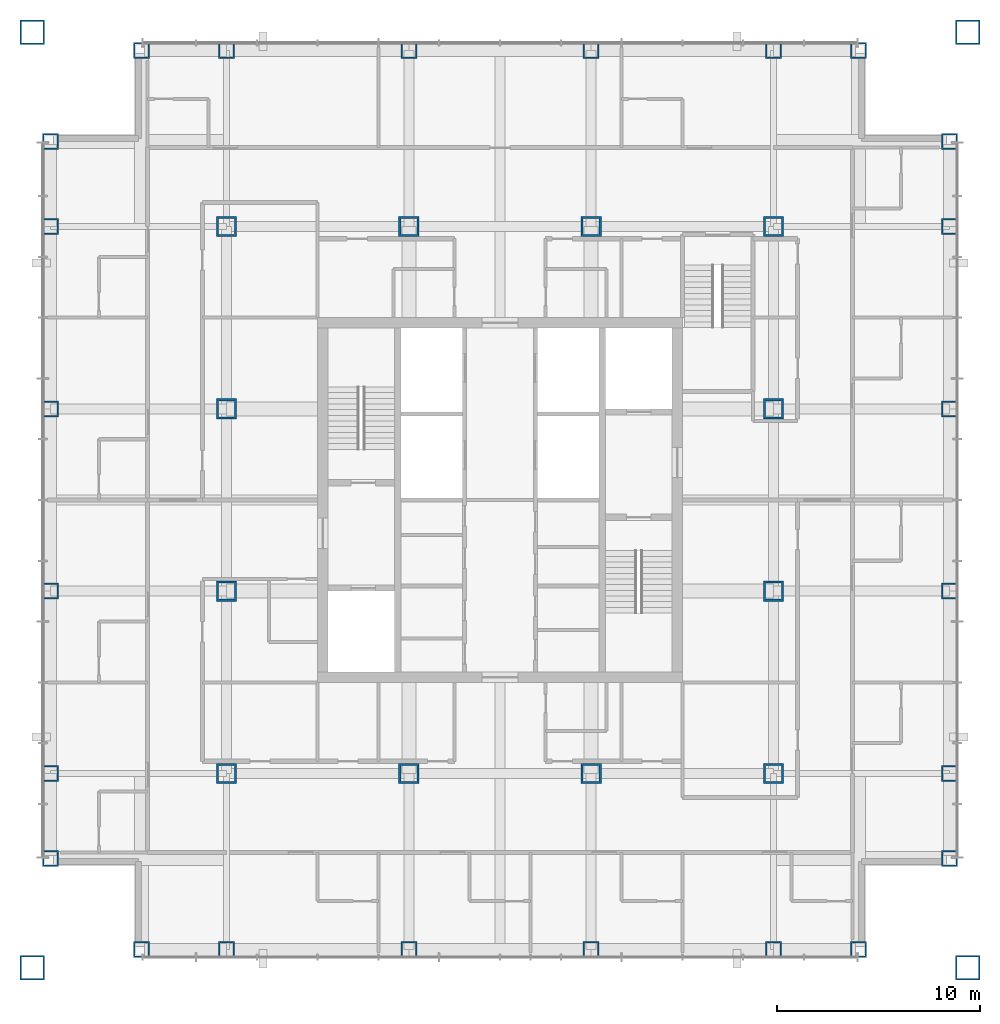
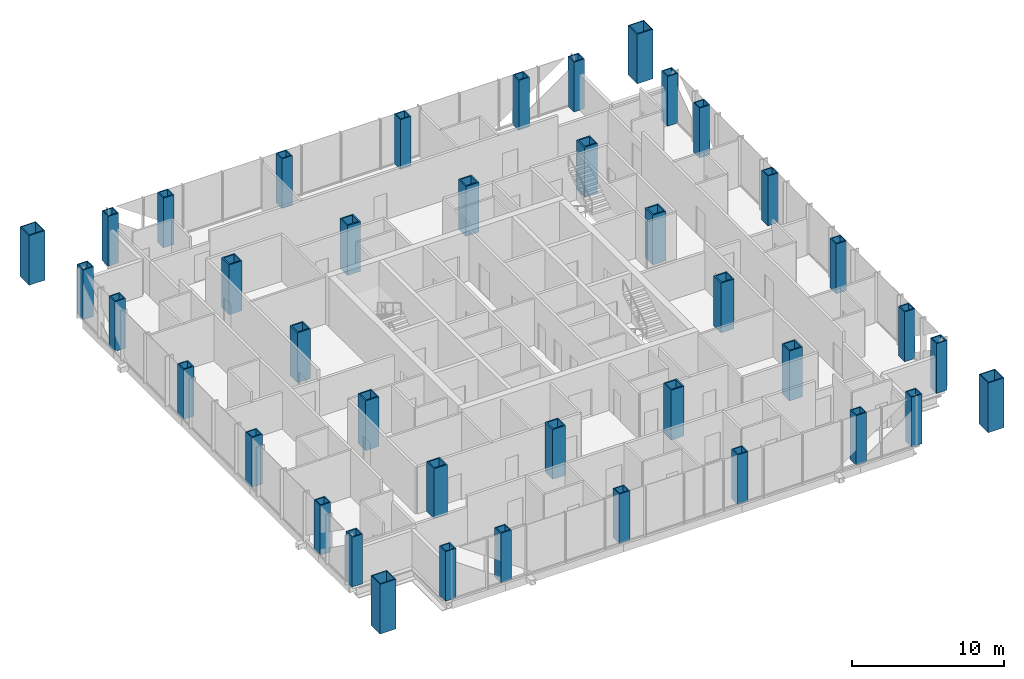
# One storey, part 1 of 11: 40 columns.
"""IFC4 building model written with IfcOpenShell, lengths in metres."""

from ifc_helpers import new_model, si_unit, direction, frame, origin, origin_2d, place, context, subcontext, project, spatial, hollow_rectangle, extrude, material, material_profile, profile_set, type_object, element, save


model = new_model("IFC4")

# Units and contexts
model_context = context("Model", 3, precision=1e-05, world=origin(), true_north=direction((0.0, 1.0)))
body_context = subcontext(model_context, "Body", "Model", "MODEL_VIEW")
ifc_project = project(units=[si_unit("LENGTHUNIT", "METRE"), si_unit("AREAUNIT", "SQUARE_METRE"), si_unit("VOLUMEUNIT", "CUBIC_METRE"), si_unit("PLANEANGLEUNIT", "RADIAN"), si_unit("MASSUNIT", "GRAM", prefix="KILO")], contexts=[model_context])

# Site, building, storey
site_placement = place(None, origin())
site = spatial("IfcSite", under=ifc_project, at=site_placement, CompositionType="ELEMENT")
building_placement = place(site_placement, origin())
building = spatial("IfcBuilding", under=site, at=building_placement, Name="Malebo Sky Hospital", CompositionType="ELEMENT")
storey_placement = place(building_placement, frame((0.0, 0.0, 201.0)))
storey = spatial("IfcBuildingStorey", under=building, at=storey_placement, Name="L48", CompositionType="ELEMENT", Elevation=201.0)

# Columns
ifc_material = material(Name="Steel S460", Category="steel")
ifc_material_profile_1 = material_profile(ifc_material, hollow_rectangle(XDim=1.0, YDim=1.0, WallThickness=0.10009765625, at=origin_2d()), Name="BOX 1000x1000x100")
ifc_profile_set_1 = profile_set([ifc_material_profile_1], Name="Steel S460")
column_type_1 = type_object("IfcColumnType", Name="INNER COLUMN BOX 1000x1000x100", PredefinedType="COLUMN", material=ifc_profile_set_1)
for number, where, z_axis, x_axis, name in (
    (1, (46.5, 48.5, 0.0), (0.0, 0.0, 1.0), (1.0, 0.0, 0.0), "Column IC9 L48"),
    (2, (73.5, 48.5, 0.0), (0.0, 0.0, 1.0), (1.0, 0.0, 0.0), "Column IC9 L48"),
    (3, (73.5, 75.5, 0.0), (0.0, 0.0, 1.0), (1.0, 0.0, 0.0), "Column IC9 L48"),
    (4, (46.5, 75.5, 0.0), (0.0, 0.0, 1.0), (1.0, 0.0, 0.0), "Column IC9 L48"),
    (5, (55.5, 48.5, 0.0), (0.0, 0.0, 1.0), (1.0, 0.0, 0.0), "Column IC9 L48"),
    (6, (64.5, 48.5, 0.0), (0.0, 0.0, 1.0), (1.0, 0.0, 0.0), "Column IC9 L48"),
    (7, (55.5, 75.5, 0.0), (0.0, 0.0, 1.0), (1.0, 0.0, 0.0), "Column IC9 L48"),
    (8, (64.5, 75.5, 0.0), (0.0, 0.0, 1.0), (1.0, 0.0, 0.0), "Column IC9 L48"),
    (9, (46.5, 57.5, 0.0), (0.0, 0.0, 1.0), (1.0, 0.0, 0.0), "Column IC9 L48"),
    (10, (46.5, 66.5, 0.0), (0.0, 0.0, 1.0), (1.0, 0.0, 0.0), "Column IC9 L48"),
    (11, (73.5, 57.5, 0.0), (0.0, 0.0, 1.0), (1.0, 0.0, 0.0), "Column IC9 L48"),
    (12, (73.5, 66.5, 0.0), (0.0, 0.0, 1.0), (1.0, 0.0, 0.0), "Column IC9 L48"),
):
    element("IfcColumn", number, at=place(storey_placement, frame(where, z_axis=z_axis, x_axis=x_axis)), inside=storey, type_object=column_type_1, Name=name, PredefinedType="COLUMN", context=body_context, shape_type="SweptSolid", body=[
        extrude(hollow_rectangle(XDim=1.0, YDim=1.0, WallThickness=0.10009765625, at=origin_2d()), origin(), (0.0, 0.0, 1.0), 4.0),
    ])
ifc_material_profile_2 = material_profile(ifc_material, hollow_rectangle(XDim=1.199951171875, YDim=1.199951171875, WallThickness=0.070068359375, at=origin_2d()), Name="BOX 1200x1200x70")
ifc_profile_set_2 = profile_set([ifc_material_profile_2], Name="Steel S460")
column_type_2 = type_object("IfcColumnType", Name="MEGA COLUMN BOX 1200x1200x70", PredefinedType="COLUMN", material=ifc_profile_set_2)
for number, where, z_axis, x_axis, name in (
    (13, (36.89990234375, 38.89990234375, 0.0), (0.0, 0.0, 1.0), (1.0, 0.0, 0.0), "Mega column SW L48"),
    (14, (83.10009765625, 38.89990234375, 0.0), (0.0, 0.0, 1.0), (1.0, 0.0, 0.0), "Mega column SE L48"),
    (15, (83.10009765625, 85.10009765625, 0.0), (0.0, 0.0, 1.0), (1.0, 0.0, 0.0), "Mega column NE L48"),
    (16, (36.89990234375, 85.10009765625, 0.0), (0.0, 0.0, 1.0), (1.0, 0.0, 0.0), "Mega column NW L48"),
):
    element("IfcColumn", number, at=place(storey_placement, frame(where, z_axis=z_axis, x_axis=x_axis)), inside=storey, type_object=column_type_2, Name=name, PredefinedType="COLUMN", context=body_context, shape_type="SweptSolid", body=[
        extrude(hollow_rectangle(XDim=1.199951171875, YDim=1.199951171875, WallThickness=0.070068359375, at=origin_2d()), origin(), (0.0, 0.0, 1.0), 4.0),
    ])
ifc_material_profile_3 = material_profile(ifc_material, hollow_rectangle(XDim=0.800048828125, YDim=0.800048828125, WallThickness=0.080078125, at=origin_2d()), Name="BOX 800x800x80")
ifc_profile_set_3 = profile_set([ifc_material_profile_3], Name="Steel S460")
column_type_3 = type_object("IfcColumnType", Name="PERIMETER COLUMN BOX 800x800x80", PredefinedType="COLUMN", material=ifc_profile_set_3)
for number, where, z_axis, x_axis, name in (
    (17, (42.300048828125, 39.800048828125, 0.0), (0.0, 0.0, 1.0), (1.0, 0.0, 0.0), "Column PC7 L48"),
    (18, (42.300048828125, 84.199951171875, 0.0), (0.0, 0.0, 1.0), (1.0, 0.0, 0.0), "Column PC7 L48"),
    (19, (37.800048828125, 44.300048828125, 0.0), (0.0, 0.0, 1.0), (1.0, 0.0, 0.0), "Column PC7 L48"),
    (20, (82.199951171875, 44.300048828125, 0.0), (0.0, 0.0, 1.0), (1.0, 0.0, 0.0), "Column PC7 L48"),
    (21, (46.5, 39.800048828125, 0.0), (0.0, 0.0, 1.0), (1.0, 0.0, 0.0), "Column PC7 L48"),
    (22, (46.5, 84.199951171875, 0.0), (0.0, 0.0, 1.0), (1.0, 0.0, 0.0), "Column PC7 L48"),
    (23, (37.800048828125, 48.5, 0.0), (0.0, 0.0, 1.0), (1.0, 0.0, 0.0), "Column PC7 L48"),
    (24, (82.199951171875, 48.5, 0.0), (0.0, 0.0, 1.0), (1.0, 0.0, 0.0), "Column PC7 L48"),
    (25, (55.5, 39.800048828125, 0.0), (0.0, 0.0, 1.0), (1.0, 0.0, 0.0), "Column PC7 L48"),
    (26, (55.5, 84.199951171875, 0.0), (0.0, 0.0, 1.0), (1.0, 0.0, 0.0), "Column PC7 L48"),
    (27, (37.800048828125, 57.5, 0.0), (0.0, 0.0, 1.0), (1.0, 0.0, 0.0), "Column PC7 L48"),
    (28, (82.199951171875, 57.5, 0.0), (0.0, 0.0, 1.0), (1.0, 0.0, 0.0), "Column PC7 L48"),
    (29, (64.5, 39.800048828125, 0.0), (0.0, 0.0, 1.0), (1.0, 0.0, 0.0), "Column PC7 L48"),
    (30, (64.5, 84.199951171875, 0.0), (0.0, 0.0, 1.0), (1.0, 0.0, 0.0), "Column PC7 L48"),
    (31, (37.800048828125, 66.5, 0.0), (0.0, 0.0, 1.0), (1.0, 0.0, 0.0), "Column PC7 L48"),
    (32, (82.199951171875, 66.5, 0.0), (0.0, 0.0, 1.0), (1.0, 0.0, 0.0), "Column PC7 L48"),
    (33, (73.5, 39.800048828125, 0.0), (0.0, 0.0, 1.0), (1.0, 0.0, 0.0), "Column PC7 L48"),
    (34, (73.5, 84.199951171875, 0.0), (0.0, 0.0, 1.0), (1.0, 0.0, 0.0), "Column PC7 L48"),
    (35, (37.800048828125, 75.5, 0.0), (0.0, 0.0, 1.0), (1.0, 0.0, 0.0), "Column PC7 L48"),
    (36, (82.199951171875, 75.5, 0.0), (0.0, 0.0, 1.0), (1.0, 0.0, 0.0), "Column PC7 L48"),
    (37, (77.699951171875, 39.800048828125, 0.0), (0.0, 0.0, 1.0), (1.0, 0.0, 0.0), "Column PC7 L48"),
    (38, (77.699951171875, 84.199951171875, 0.0), (0.0, 0.0, 1.0), (1.0, 0.0, 0.0), "Column PC7 L48"),
    (39, (37.800048828125, 79.699951171875, 0.0), (0.0, 0.0, 1.0), (1.0, 0.0, 0.0), "Column PC7 L48"),
    (40, (82.199951171875, 79.699951171875, 0.0), (0.0, 0.0, 1.0), (1.0, 0.0, 0.0), "Column PC7 L48"),
):
    element("IfcColumn", number, at=place(storey_placement, frame(where, z_axis=z_axis, x_axis=x_axis)), inside=storey, type_object=column_type_3, Name=name, PredefinedType="COLUMN", context=body_context, shape_type="SweptSolid", body=[
        extrude(hollow_rectangle(XDim=0.800048828125, YDim=0.800048828125, WallThickness=0.080078125, at=origin_2d()), origin(), (0.0, 0.0, 1.0), 4.0),
    ])

save(model, "model.ifc")
